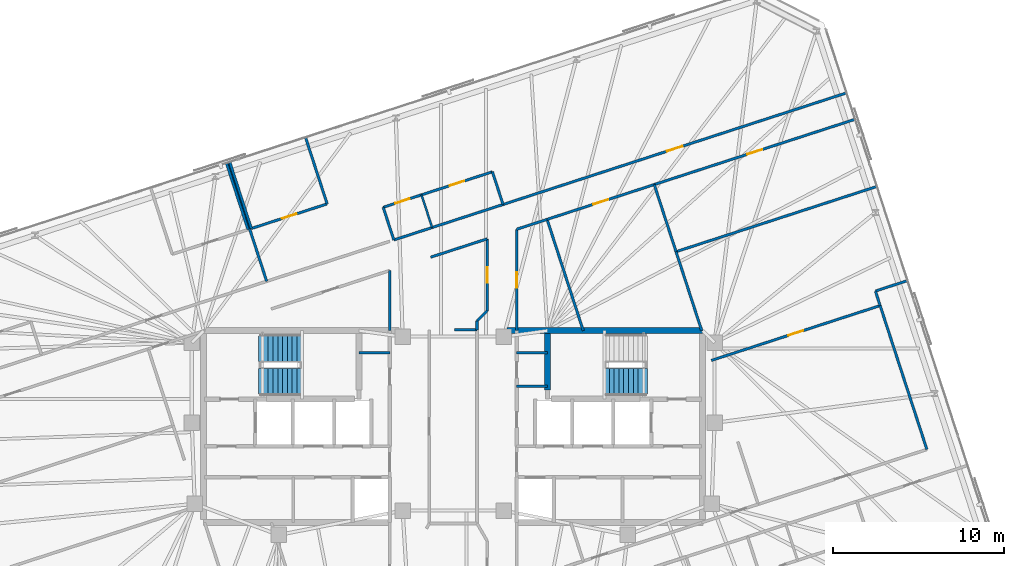
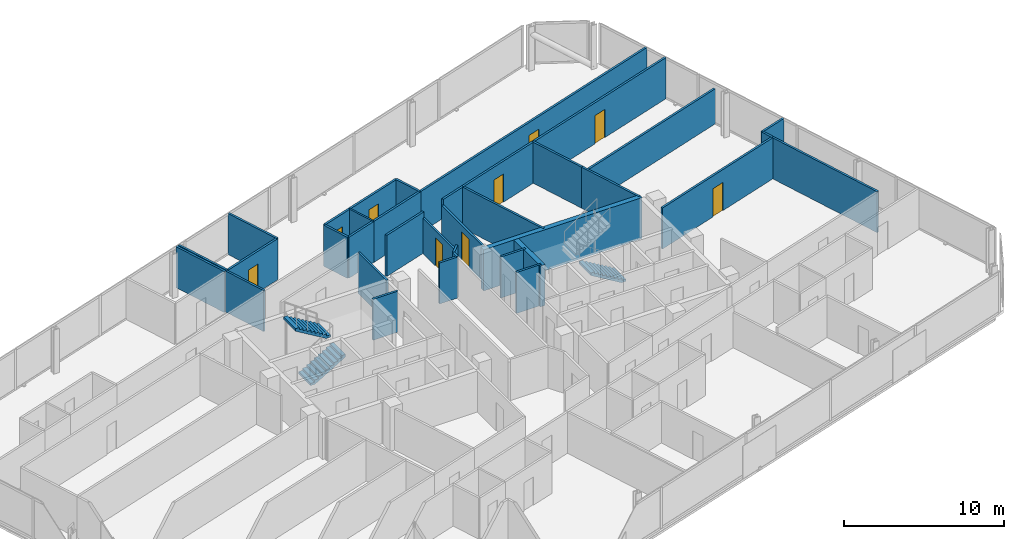
# One storey, part 17 of 19: 36 walls, 9 doors, 3 stair flights, 9 openings, 2 elements without a shape of their own.
"""IFC4 building model written with IfcOpenShell, lengths in metres."""

from ifc_helpers import new_model, si_unit, direction, frame, frame_2d, origin, place, context, subcontext, project, spatial, polyline, rectangle, outline, extrude, material, layer, layer_set, type_object, element, fill, aggregate, save


model = new_model("IFC4")

# Units and contexts
model_context = context("Model", 3, precision=1e-05, world=origin(), true_north=direction((0.0, 1.0)))
body_context = subcontext(model_context, "Body", "Model", "MODEL_VIEW")
ifc_project = project(units=[si_unit("LENGTHUNIT", "METRE"), si_unit("AREAUNIT", "SQUARE_METRE"), si_unit("VOLUMEUNIT", "CUBIC_METRE"), si_unit("PLANEANGLEUNIT", "RADIAN"), si_unit("MASSUNIT", "GRAM", prefix="KILO")], contexts=[model_context])

# Site, building, storey
site_placement = place(None, origin())
site = spatial("IfcSite", under=ifc_project, at=site_placement, CompositionType="ELEMENT")
building_placement = place(site_placement, origin())
building = spatial("IfcBuilding", under=site, at=building_placement, Name="Menara Jurai Vektor", CompositionType="ELEMENT")
storey_placement = place(building_placement, frame((0.0, 0.0, 241.050048828125)))
storey = spatial("IfcBuildingStorey", under=building, at=storey_placement, Name="L64", CompositionType="ELEMENT", Elevation=241.050048828125)

# Walls
ifc_material_1 = material(Name="Gypsum Fireboard Partition", Category="gypsum")
ifc_layer_1 = layer(ifc_material_1, 0.14990234375)
ifc_layer_set_1 = layer_set([ifc_layer_1], Name="Gypsum Fireboard Partition")
wall_type_1 = type_object("IfcWallType", Name="INT-WALL-CORR-150", PredefinedType="PARTITIONING", material=ifc_layer_set_1)
for number, where, z_axis, x_axis, name in (
    (1, (-5.5, 4.300048828125, 0.0), (0.0, 0.0, 1.0), (1.0, 0.0, 0.0), "Interior Wall IW-150 L64"),
    (2, (3.699951171875, 4.300048828125, 0.0), (0.0, 0.0, 1.0), (1.0, 0.0, 0.0), "Interior Wall IW-150 L64"),
    (3, (3.699951171875, 2.35009765625, 0.0), (0.0, 0.0, 1.0), (1.0, 0.0, 0.0), "Interior Wall IW-150 L64"),
):
    element("IfcWall", number, at=place(storey_placement, frame(where, z_axis=z_axis, x_axis=x_axis)), inside=storey, type_object=wall_type_1, Name=name, PredefinedType="PARTITIONING", context=body_context, shape_type="SweptSolid", body=[
        extrude(rectangle(XDim=1.800048828125, YDim=0.14990234375, at=frame_2d((0.89990234375, 0.0))), origin(), (0.0, 0.0, 1.0), 3.125),
    ])

# Wall, opening, door
wall_1_placement = place(storey_placement, frame((2.90869140625, 12.960205078125, 0.0), z_axis=(0.0, 0.0, 1.0), x_axis=(0.951056113966, 0.309018232614, 0.0)))
wall_1 = element("IfcWall", 4, at=wall_1_placement, inside=storey, type_object=wall_type_1, Name="Interior Wall IW-150 L64", PredefinedType="PARTITIONING", context=body_context, shape_type="SweptSolid", body=[
    extrude(rectangle(XDim=21.076171875, YDim=0.14990234375, at=frame_2d((10.5380859375, 0.0))), origin(), (0.0, 0.0, 1.0), 3.125),
])
opening_1_placement = place(wall_1_placement, frame((10.06298828125, 0.0, 0.0)))
opening_1 = element("IfcOpeningElement", 5, at=opening_1_placement, cuts=wall_1, Name="Opening D64-13", PredefinedType="OPENING", context=body_context, shape_type="SweptSolid", body=[
    extrude(rectangle(XDim=0.949951171875, YDim=2.14990234375, at=frame_2d((0.47509765625, 1.074951171875))), frame((0.0, 0.0849609375, 0.0), z_axis=(0.0, -1.0, 0.0), x_axis=(1.0, 0.0, 0.0)), (0.0, 0.0, 1.0), 0.169921875),
])
ifc_material_2 = material(Name="Solid Core Timber Fire Door", Category="wood")
door_type_1 = type_object("IfcDoorType", Name="DR-ENTRY-950", OperationType="NOTDEFINED", PredefinedType="DOOR", material=ifc_material_2)
door_1_placement = place(opening_1_placement, origin())
door_1 = element("IfcDoor", 6, at=door_1_placement, inside=storey, type_object=door_type_1, Name="Interior Door D64-13", OperationType="SINGLE_SWING_RIGHT", OverallHeight=2.14990234375, OverallWidth=0.949951171875, PredefinedType="DOOR", context=body_context, shape_type="SweptSolid", body=[
    extrude(rectangle(XDim=0.949951171875, YDim=2.14990234375, at=frame_2d((0.47509765625, 1.074951171875))), frame((0.0, 0.02490234375, 0.0), z_axis=(0.0, -1.0, 0.0), x_axis=(1.0, 0.0, 0.0)), (0.0, 0.0, 1.0), 0.050048828125),
])
fill(opening_1, door_1)

# Walls
wall_2_placement = place(storey_placement, frame((-3.46337890625, 10.889892578125, 0.0), z_axis=(0.0, 0.0, 1.0), x_axis=(0.951045519245, 0.309050837767, 0.0)))
element("IfcWall", 7, at=wall_2_placement, inside=storey, type_object=wall_type_1, Name="Interior Wall IW-150 L64", PredefinedType="PARTITIONING", context=body_context, shape_type="SweptSolid", body=[
    extrude(rectangle(XDim=2.35009765625, YDim=0.14990234375, at=frame_2d((1.175048828125, 0.0))), origin(), (0.0, 0.0, 1.0), 3.125),
])
wall_3_placement = place(storey_placement, frame((-1.228271484375, 11.6162109375, 0.0), z_axis=(0.0, 0.0, 1.0), x_axis=(0.951069122051, 0.308978195154, 0.0)))
element("IfcWall", 8, at=wall_3_placement, inside=storey, type_object=wall_type_1, Name="Interior Wall IW-150 L64", PredefinedType="PARTITIONING", context=body_context, shape_type="SweptSolid", body=[
    extrude(rectangle(XDim=4.349853515625, YDim=0.14990234375, at=frame_2d((2.1748046875, 0.0))), origin(), (0.0, 0.0, 1.0), 3.125),
])
wall_4_placement = place(storey_placement, frame((3.699462890625, 11.513916015625, 0.0), z_axis=(0.0, 0.0, 1.0), x_axis=(0.951069540665, 0.308976906612, 0.0)))
element("IfcWall", 9, at=wall_4_placement, inside=storey, type_object=wall_type_1, Name="Interior Wall IW-150 L64", PredefinedType="PARTITIONING", context=body_context, shape_type="SweptSolid", body=[
    extrude(rectangle(XDim=1.87109375, YDim=0.14990234375, at=frame_2d((0.935546875, 0.0))), origin(), (0.0, 0.0, 1.0), 3.125),
])

# Wall, opening, door
wall_5_placement = place(storey_placement, frame((5.47900390625, 12.092041015625, 0.0), z_axis=(0.0, 0.0, 1.0), x_axis=(0.951051809397, 0.309031480343, 0.0)))
wall_5 = element("IfcWall", 10, at=wall_5_placement, inside=storey, type_object=wall_type_1, Name="Interior Wall IW-150 L64", PredefinedType="PARTITIONING", context=body_context, shape_type="SweptSolid", body=[
    extrude(rectangle(XDim=6.572998046875, YDim=0.14990234375, at=frame_2d((3.28662109375, 0.0))), origin(), (0.0, 0.0, 1.0), 3.125),
])
opening_2_placement = place(wall_5_placement, frame((2.826416015625, 0.0, 0.0)))
opening_2 = element("IfcOpeningElement", 11, at=opening_2_placement, cuts=wall_5, Name="Opening D64-45", PredefinedType="OPENING", context=body_context, shape_type="SweptSolid", body=[
    extrude(rectangle(XDim=0.919921875, YDim=2.14990234375, at=frame_2d((0.4599609375, 1.074951171875))), frame((0.0, 0.0849609375, 0.0), z_axis=(0.0, -1.0, 0.0), x_axis=(1.0, 0.0, 0.0)), (0.0, 0.0, 1.0), 0.169921875),
])
door_2_placement = place(opening_2_placement, origin())
door_2 = element("IfcDoor", 12, at=door_2_placement, inside=storey, type_object=door_type_1, Name="Interior Door D64-45", OperationType="SINGLE_SWING_RIGHT", OverallHeight=2.14990234375, OverallWidth=0.919921875, PredefinedType="DOOR", context=body_context, shape_type="SweptSolid", body=[
    extrude(rectangle(XDim=0.919921875, YDim=2.14990234375, at=frame_2d((0.4599609375, 1.074951171875))), frame((0.0, 0.02490234375, 0.0), z_axis=(0.0, -1.0, 0.0), x_axis=(1.0, 0.0, 0.0)), (0.0, 0.0, 1.0), 0.050048828125),
])
fill(opening_2, door_2)

# Walls
wall_6_placement = place(storey_placement, frame((-1.310791015625, 9.885986328125, 0.0), z_axis=(0.0, 0.0, 1.0), x_axis=(0.951068803905, 0.308979174442, 0.0)))
element("IfcWall", 13, at=wall_6_placement, inside=storey, type_object=wall_type_1, Name="Interior Wall IW-150 L64", PredefinedType="PARTITIONING", context=body_context, shape_type="SweptSolid", body=[
    extrude(rectangle(XDim=3.4599609375, YDim=0.14990234375, at=frame_2d((1.72998046875, 0.0))), origin(), (0.0, 0.0, 1.0), 3.125),
])
wall_7_placement = place(storey_placement, frame((1.390625, 5.6494140625, 0.0), z_axis=(0.0, 0.0, 1.0), x_axis=(0.000957395444, 0.999999541697, 0.0)))
element("IfcWall", 14, at=wall_7_placement, inside=storey, type_object=wall_type_1, Name="Interior Wall IW-150 L64", PredefinedType="PARTITIONING", context=body_context, shape_type="SweptSolid", body=[
    extrude(rectangle(XDim=0.510009765625, YDim=0.14990234375, at=frame_2d((0.2548828125, 0.0))), origin(), (0.0, 0.0, 1.0), 3.125),
])
wall_8_placement = place(storey_placement, frame((1.39111328125, 6.159423828125, 0.0), z_axis=(0.0, 0.0, 1.0), x_axis=(0.707106781187, 0.707106781187, 0.0)))
element("IfcWall", 15, at=wall_8_placement, inside=storey, type_object=wall_type_1, Name="Interior Wall IW-150 L64", PredefinedType="PARTITIONING", context=body_context, shape_type="SweptSolid", body=[
    extrude(rectangle(XDim=0.832763671875, YDim=0.14990234375, at=frame_2d((0.41650390625, 0.0))), origin(), (0.0, 0.0, 1.0), 3.125),
])
wall_9_placement = place(storey_placement, frame((-3.7001953125, 5.599853515625, 0.0), z_axis=(0.0, 0.0, 1.0), x_axis=(0.000139120755, 0.999999990323, 0.0)))
element("IfcWall", 16, at=wall_9_placement, inside=storey, type_object=wall_type_1, Name="Interior Wall IW-150 L64", PredefinedType="PARTITIONING", context=body_context, shape_type="SweptSolid", body=[
    extrude(rectangle(XDim=3.509765625, YDim=0.14990234375, at=frame_2d((1.7548828125, 0.0))), origin(), (0.0, 0.0, 1.0), 3.125),
])
wall_10_placement = place(storey_placement, frame((27.63671875, -1.331787109375, 0.0), z_axis=(0.0, 0.0, 1.0), x_axis=(-0.309040411618, 0.951048907253, 0.0)))
element("IfcWall", 17, at=wall_10_placement, inside=storey, type_object=wall_type_1, Name="Interior Wall IW-150 L64", PredefinedType="PARTITIONING", context=body_context, shape_type="SweptSolid", body=[
    extrude(rectangle(XDim=8.825927734375, YDim=0.14990234375, at=frame_2d((4.4130859375, 0.0))), origin(), (0.0, 0.0, 1.0), 3.125),
])
wall_11_placement = place(storey_placement, frame((24.9091796875, 7.06201171875, 0.0), z_axis=(0.0, 0.0, 1.0), x_axis=(-0.30899324298, 0.951064233263, 0.0)))
element("IfcWall", 18, at=wall_11_placement, inside=storey, type_object=wall_type_1, Name="Interior Wall IW-150 L64", PredefinedType="PARTITIONING", context=body_context, shape_type="SweptSolid", body=[
    extrude(rectangle(XDim=0.89208984375, YDim=0.14990234375, at=frame_2d((0.446044921875, 0.0))), origin(), (0.0, 0.0, 1.0), 3.125),
])
wall_12_placement = place(storey_placement, frame((24.633544921875, 7.910400390625, 0.0), z_axis=(0.0, 0.0, 1.0), x_axis=(0.951054051148, 0.309024581215, 0.0)))
element("IfcWall", 19, at=wall_12_placement, inside=storey, type_object=wall_type_1, Name="Interior Wall IW-150 L64", PredefinedType="PARTITIONING", context=body_context, shape_type="SweptSolid", body=[
    extrude(rectangle(XDim=1.97509765625, YDim=0.14990234375, at=frame_2d((0.987548828125, 0.0))), origin(), (0.0, 0.0, 1.0), 3.125),
])

# Wall, opening, door
wall_13_placement = place(storey_placement, frame((11.730224609375, 14.123291015625, 0.0), z_axis=(0.0, 0.0, 1.0), x_axis=(0.951060263663, 0.309005460926, 0.0)))
wall_13 = element("IfcWall", 20, at=wall_13_placement, inside=storey, type_object=wall_type_1, Name="Interior Wall IW-150 L64", PredefinedType="PARTITIONING", context=body_context, shape_type="SweptSolid", body=[
    extrude(rectangle(XDim=12.326904296875, YDim=0.14990234375, at=frame_2d((6.16357421875, 0.0))), origin(), (0.0, 0.0, 1.0), 3.125),
])
opening_3_placement = place(wall_13_placement, frame((5.70361328125, 0.0, 0.0)))
opening_3 = element("IfcOpeningElement", 21, at=opening_3_placement, cuts=wall_13, Name="Opening D64-51", PredefinedType="OPENING", context=body_context, shape_type="SweptSolid", body=[
    extrude(rectangle(XDim=0.919921875, YDim=2.14990234375, at=frame_2d((0.4599609375, 1.074951171875))), frame((0.0, 0.0849609375, 0.0), z_axis=(0.0, -1.0, 0.0), x_axis=(1.0, 0.0, 0.0)), (0.0, 0.0, 1.0), 0.169921875),
])
door_3_placement = place(opening_3_placement, origin())
door_3 = element("IfcDoor", 22, at=door_3_placement, inside=storey, type_object=door_type_1, Name="Interior Door D64-51", OperationType="SINGLE_SWING_RIGHT", OverallHeight=2.14990234375, OverallWidth=0.919921875, PredefinedType="DOOR", context=body_context, shape_type="SweptSolid", body=[
    extrude(rectangle(XDim=0.919921875, YDim=2.14990234375, at=frame_2d((0.4599609375, 1.074951171875))), frame((0.0, 0.02490234375, 0.0), z_axis=(0.0, -1.0, 0.0), x_axis=(1.0, 0.0, 0.0)), (0.0, 0.0, 1.0), 0.050048828125),
])
fill(opening_3, door_3)

# Walls
wall_14_placement = place(storey_placement, frame((0.065673828125, 5.64990234375, 0.0), z_axis=(0.0, 0.0, 1.0), x_axis=(0.999999932094, -0.000368527707, 0.0)))
element("IfcWall", 23, at=wall_14_placement, inside=storey, type_object=wall_type_1, Name="Interior Wall IW-150 L64", PredefinedType="PARTITIONING", context=body_context, shape_type="SweptSolid", body=[
    extrude(rectangle(XDim=1.324951171875, YDim=0.14990234375, at=frame_2d((0.66259765625, 0.0))), origin(), (0.0, 0.0, 1.0), 3.125),
])
wall_15_placement = place(storey_placement, frame((-11.967041015625, 11.496826171875, 0.0), z_axis=(0.0, 0.0, 1.0), x_axis=(-0.309018403393, 0.951056058476, 0.0)))
element("IfcWall", 24, at=wall_15_placement, inside=storey, type_object=wall_type_1, Name="Interior Wall IW-150 L64", PredefinedType="PARTITIONING", context=body_context, shape_type="SweptSolid", body=[
    extrude(rectangle(XDim=4.0791015625, YDim=0.14990234375, at=frame_2d((2.03955078125, 0.0))), origin(), (0.0, 0.0, 1.0), 3.125),
])
wall_16_placement = place(storey_placement, frame((-10.881591796875, 8.4794921875, 0.0), z_axis=(0.0, 0.0, 1.0), x_axis=(-0.308998913866, 0.951062390819, 0.0)))
element("IfcWall", 25, at=wall_16_placement, inside=storey, type_object=wall_type_1, Name="Interior Wall IW-150 L64", PredefinedType="PARTITIONING", context=body_context, shape_type="SweptSolid", body=[
    extrude(rectangle(XDim=7.283935546875, YDim=0.14990234375, at=frame_2d((3.64208984375, 0.0))), origin(), (0.0, 0.0, 1.0), 3.125),
])
wall_17_placement = place(storey_placement, frame((-3.46337890625, 10.889892578125, 0.0), z_axis=(0.0, 0.0, 1.0), x_axis=(-0.308912611775, 0.951090425925, 0.0)))
element("IfcWall", 26, at=wall_17_placement, inside=storey, type_object=wall_type_1, Name="Interior Wall IW-150 L64", PredefinedType="PARTITIONING", context=body_context, shape_type="SweptSolid", body=[
    extrude(rectangle(XDim=2.005126953125, YDim=0.14990234375, at=frame_2d((1.00244140625, 0.0))), origin(), (0.0, 0.0, 1.0), 3.125),
])

# Wall, opening, door
wall_18_placement = place(storey_placement, frame((-4.082763671875, 12.796875, 0.0), z_axis=(0.0, 0.0, 1.0), x_axis=(0.951066131077, 0.308987401554, 0.0)))
wall_18 = element("IfcWall", 27, at=wall_18_placement, inside=storey, type_object=wall_type_1, Name="Interior Wall IW-150 L64", PredefinedType="PARTITIONING", context=body_context, shape_type="SweptSolid", body=[
    extrude(rectangle(XDim=2.349853515625, YDim=0.14990234375, at=frame_2d((1.1748046875, 0.0))), origin(), (0.0, 0.0, 1.0), 3.125),
])
opening_4_placement = place(wall_18_placement, frame((0.735107421875, 0.0, 0.0)))
opening_4 = element("IfcOpeningElement", 28, at=opening_4_placement, cuts=wall_18, Name="Opening D64-14", PredefinedType="OPENING", context=body_context, shape_type="SweptSolid", body=[
    extrude(rectangle(XDim=0.8798828125, YDim=2.14990234375, at=frame_2d((0.43994140625, 1.074951171875))), frame((0.0, 0.0849609375, 0.0), z_axis=(0.0, -1.0, 0.0), x_axis=(1.0, 0.0, 0.0)), (0.0, 0.0, 1.0), 0.169921875),
])
ifc_material_3 = material(Name="Moisture-Resistant Timber Door", Category="wood")
door_type_2 = type_object("IfcDoorType", Name="DR-BATH-880", OperationType="NOTDEFINED", PredefinedType="DOOR", material=ifc_material_3)
door_4_placement = place(opening_4_placement, origin())
door_4 = element("IfcDoor", 29, at=door_4_placement, inside=storey, type_object=door_type_2, Name="Interior Door D64-14", OperationType="SINGLE_SWING_LEFT", OverallHeight=2.14990234375, OverallWidth=0.8798828125, PredefinedType="DOOR", context=body_context, shape_type="SweptSolid", body=[
    extrude(rectangle(XDim=0.8798828125, YDim=2.14990234375, at=frame_2d((0.43994140625, 1.074951171875))), frame((0.0, 0.02490234375, 0.0), z_axis=(0.0, -1.0, 0.0), x_axis=(1.0, 0.0, 0.0)), (0.0, 0.0, 1.0), 0.050048828125),
])
fill(opening_4, door_4)

wall_19_placement = place(storey_placement, frame((-1.847900390625, 13.52294921875, 0.0), z_axis=(0.0, 0.0, 1.0), x_axis=(0.951057987102, 0.309012467661, 0.0)))
wall_19 = element("IfcWall", 30, at=wall_19_placement, inside=storey, type_object=wall_type_1, Name="Interior Wall IW-150 L64", PredefinedType="PARTITIONING", context=body_context, shape_type="SweptSolid", body=[
    extrude(rectangle(XDim=4.35009765625, YDim=0.14990234375, at=frame_2d((2.175048828125, 0.0))), origin(), (0.0, 0.0, 1.0), 3.125),
])
opening_5_placement = place(wall_19_placement, frame((1.72509765625, 0.0, 0.0)))
opening_5 = element("IfcOpeningElement", 31, at=opening_5_placement, cuts=wall_19, Name="Opening D64-15", PredefinedType="OPENING", context=body_context, shape_type="SweptSolid", body=[
    extrude(rectangle(XDim=0.89990234375, YDim=2.14990234375, at=frame_2d((0.449951171875, 1.074951171875))), frame((0.0, 0.0849609375, 0.0), z_axis=(0.0, -1.0, 0.0), x_axis=(1.0, 0.0, 0.0)), (0.0, 0.0, 1.0), 0.169921875),
])
ifc_material_4 = material(Name="Acoustic Timber Interior Door", Category="wood")
door_type_3 = type_object("IfcDoorType", Name="DR-ROOM-900", OperationType="NOTDEFINED", PredefinedType="DOOR", material=ifc_material_4)
door_5_placement = place(opening_5_placement, origin())
door_5 = element("IfcDoor", 32, at=door_5_placement, inside=storey, type_object=door_type_3, Name="Interior Door D64-15", OperationType="SINGLE_SWING_RIGHT", OverallHeight=2.14990234375, OverallWidth=0.89990234375, PredefinedType="DOOR", context=body_context, shape_type="SweptSolid", body=[
    extrude(rectangle(XDim=0.89990234375, YDim=2.14990234375, at=frame_2d((0.449951171875, 1.074951171875))), frame((0.0, 0.02490234375, 0.0), z_axis=(0.0, -1.0, 0.0), x_axis=(1.0, 0.0, 0.0)), (0.0, 0.0, 1.0), 0.050048828125),
])
fill(opening_5, door_5)

# Walls
wall_20_placement = place(storey_placement, frame((2.90869140625, 12.960205078125, 0.0), z_axis=(0.0, 0.0, 1.0), x_axis=(-0.308912611775, 0.951090425925, 0.0)))
element("IfcWall", 33, at=wall_20_placement, inside=storey, type_object=wall_type_1, Name="Interior Wall IW-150 L64", PredefinedType="PARTITIONING", context=body_context, shape_type="SweptSolid", body=[
    extrude(rectangle(XDim=2.005126953125, YDim=0.14990234375, at=frame_2d((1.00244140625, 0.0))), origin(), (0.0, 0.0, 1.0), 3.125),
])
wall_21_placement = place(storey_placement, frame((-11.77685546875, 11.55859375, 0.0), z_axis=(0.0, 0.0, 1.0), x_axis=(-0.309018403393, 0.951056058476, 0.0)))
element("IfcWall", 34, at=wall_21_placement, inside=storey, type_object=wall_type_1, Name="Interior Wall IW-150 L64", PredefinedType="PARTITIONING", context=body_context, shape_type="SweptSolid", body=[
    extrude(rectangle(XDim=4.0791015625, YDim=0.14990234375, at=frame_2d((2.03955078125, 0.0))), origin(), (0.0, 0.0, 1.0), 3.125),
])

# Wall, opening, door
wall_22_placement = place(storey_placement, frame((-11.77685546875, 11.55859375, 0.0), z_axis=(0.0, 0.0, 1.0), x_axis=(0.951050272606, 0.309036209813, 0.0)))
wall_22 = element("IfcWall", 35, at=wall_22_placement, inside=storey, type_object=wall_type_1, Name="Interior Wall IW-150 L64", PredefinedType="PARTITIONING", context=body_context, shape_type="SweptSolid", body=[
    extrude(rectangle(XDim=4.64990234375, YDim=0.14990234375, at=frame_2d((2.324951171875, 0.0))), origin(), (0.0, 0.0, 1.0), 3.125),
])
opening_6_placement = place(wall_22_placement, frame((1.875, 0.0, 0.0)))
opening_6 = element("IfcOpeningElement", 36, at=opening_6_placement, cuts=wall_22, Name="Opening D64-16", PredefinedType="OPENING", context=body_context, shape_type="SweptSolid", body=[
    extrude(rectangle(XDim=0.89990234375, YDim=2.14990234375, at=frame_2d((0.449951171875, 1.074951171875))), frame((0.0, 0.0849609375, 0.0), z_axis=(0.0, -1.0, 0.0), x_axis=(1.0, 0.0, 0.0)), (0.0, 0.0, 1.0), 0.169921875),
])
door_6_placement = place(opening_6_placement, origin())
door_6 = element("IfcDoor", 37, at=door_6_placement, inside=storey, type_object=door_type_3, Name="Interior Door D64-16", OperationType="SINGLE_SWING_LEFT", OverallHeight=2.14990234375, OverallWidth=0.89990234375, PredefinedType="DOOR", context=body_context, shape_type="SweptSolid", body=[
    extrude(rectangle(XDim=0.89990234375, YDim=2.14990234375, at=frame_2d((0.449951171875, 1.074951171875))), frame((0.0, 0.02490234375, 0.0), z_axis=(0.0, -1.0, 0.0), x_axis=(1.0, 0.0, 0.0)), (0.0, 0.0, 1.0), 0.050048828125),
])
fill(opening_6, door_6)

# Walls
wall_23_placement = place(storey_placement, frame((-7.3544921875, 12.99560546875, 0.0), z_axis=(0.0, 0.0, 1.0), x_axis=(-0.309018403393, 0.951056058476, 0.0)))
element("IfcWall", 38, at=wall_23_placement, inside=storey, type_object=wall_type_1, Name="Interior Wall IW-150 L64", PredefinedType="PARTITIONING", context=body_context, shape_type="SweptSolid", body=[
    extrude(rectangle(XDim=4.0791015625, YDim=0.14990234375, at=frame_2d((2.03955078125, 0.0))), origin(), (0.0, 0.0, 1.0), 3.125),
])
wall_24_placement = place(storey_placement, frame((7.58837890625, 5.60009765625, 0.0), z_axis=(0.0, 0.0, 1.0), x_axis=(-0.309018946982, 0.951055881852, 0.0)))
element("IfcWall", 39, at=wall_24_placement, inside=storey, type_object=wall_type_1, Name="Interior Wall IW-150 L64", PredefinedType="PARTITIONING", context=body_context, shape_type="SweptSolid", body=[
    extrude(rectangle(XDim=6.825927734375, YDim=0.14990234375, at=frame_2d((3.4130859375, 0.0))), origin(), (0.0, 0.0, 1.0), 3.125),
])
wall_25_placement = place(storey_placement, frame((14.49951171875, 5.599853515625, 0.0), z_axis=(0.0, 0.0, 1.0), x_axis=(-0.308974360462, 0.951070367837, 0.0)))
element("IfcWall", 40, at=wall_25_placement, inside=storey, type_object=wall_type_1, Name="Interior Wall IW-150 L64", PredefinedType="PARTITIONING", context=body_context, shape_type="SweptSolid", body=[
    extrude(rectangle(XDim=4.843017578125, YDim=0.14990234375, at=frame_2d((2.42138671875, 0.0))), origin(), (0.0, 0.0, 1.0), 3.125),
])
wall_26_placement = place(storey_placement, frame((13.003173828125, 10.205810546875, 0.0), z_axis=(0.0, 0.0, 1.0), x_axis=(-0.309035144366, 0.951050618814, 0.0)))
element("IfcWall", 41, at=wall_26_placement, inside=storey, type_object=wall_type_1, Name="Interior Wall IW-150 L64", PredefinedType="PARTITIONING", context=body_context, shape_type="SweptSolid", body=[
    extrude(rectangle(XDim=4.119140625, YDim=0.14990234375, at=frame_2d((2.0595703125, 0.0))), origin(), (0.0, 0.0, 1.0), 3.125),
])

# Wall, opening, door
wall_27_placement = place(storey_placement, frame((15.06396484375, 3.86328125, 0.0), z_axis=(0.0, 0.0, 1.0), x_axis=(0.951061448945, 0.309001812827, 0.0)))
wall_27 = element("IfcWall", 42, at=wall_27_placement, inside=storey, type_object=wall_type_1, Name="Interior Wall IW-150 L64", PredefinedType="PARTITIONING", context=body_context, shape_type="SweptSolid", body=[
    extrude(rectangle(XDim=10.351806640625, YDim=0.14990234375, at=frame_2d((5.17578125, 0.0))), origin(), (0.0, 0.0, 1.0), 3.125),
])
opening_7_placement = place(wall_27_placement, frame((4.716064453125, 0.0, 0.0)))
opening_7 = element("IfcOpeningElement", 43, at=opening_7_placement, cuts=wall_27, Name="Opening D64-50", PredefinedType="OPENING", context=body_context, shape_type="SweptSolid", body=[
    extrude(rectangle(XDim=0.919921875, YDim=2.14990234375, at=frame_2d((0.4599609375, 1.074951171875))), frame((0.0, 0.0849609375, 0.0), z_axis=(0.0, -1.0, 0.0), x_axis=(1.0, 0.0, 0.0)), (0.0, 0.0, 1.0), 0.169921875),
])
door_7_placement = place(opening_7_placement, origin())
door_7 = element("IfcDoor", 44, at=door_7_placement, inside=storey, type_object=door_type_1, Name="Interior Door D64-50", OperationType="SINGLE_SWING_LEFT", OverallHeight=2.14990234375, OverallWidth=0.919921875, PredefinedType="DOOR", context=body_context, shape_type="SweptSolid", body=[
    extrude(rectangle(XDim=0.919921875, YDim=2.14990234375, at=frame_2d((0.4599609375, 1.074951171875))), frame((0.0, 0.02490234375, 0.0), z_axis=(0.0, -1.0, 0.0), x_axis=(1.0, 0.0, 0.0)), (0.0, 0.0, 1.0), 0.050048828125),
])
fill(opening_7, door_7)

ifc_layer_2 = layer(ifc_material_1, 0.14990234375)
ifc_layer_set_2 = layer_set([ifc_layer_2], Name="Gypsum Fireboard Partition")
wall_type_2 = type_object("IfcWallType", Name="INT-WALL-CORR-150-H1", PredefinedType="PARTITIONING", material=ifc_layer_set_2)
wall_28_placement = place(storey_placement, frame((3.7001953125, 5.599609375, 0.0), z_axis=(0.0, 0.0, 1.0), x_axis=(-0.000123839008, 0.999999992332, 0.0)))
wall_28 = element("IfcWall", 45, at=wall_28_placement, inside=storey, type_object=wall_type_2, Name="Interior Wall IW-150 L64", PredefinedType="PARTITIONING", context=body_context, shape_type="SweptSolid", body=[
    extrude(rectangle(XDim=5.914306640625, YDim=0.14990234375, at=frame_2d((2.95703125, 0.0))), origin(), (0.0, 0.0, 1.0), 2.675048828125),
])
opening_8_placement = place(wall_28_placement, frame((2.497314453125, 0.0, 0.0)))
opening_8 = element("IfcOpeningElement", 46, at=opening_8_placement, cuts=wall_28, Name="Opening D64-44", PredefinedType="OPENING", context=body_context, shape_type="SweptSolid", body=[
    extrude(rectangle(XDim=0.919921875, YDim=2.14990234375, at=frame_2d((0.4599609375, 1.074951171875))), frame((0.0, 0.0849609375, 0.0), z_axis=(0.0, -1.0, 0.0), x_axis=(1.0, 0.0, 0.0)), (0.0, 0.0, 1.0), 0.169921875),
])
door_8_placement = place(opening_8_placement, origin())
door_8 = element("IfcDoor", 47, at=door_8_placement, inside=storey, type_object=door_type_1, Name="Interior Door D64-44", OperationType="SINGLE_SWING_LEFT", OverallHeight=2.14990234375, OverallWidth=0.919921875, PredefinedType="DOOR", context=body_context, shape_type="SweptSolid", body=[
    extrude(rectangle(XDim=0.919921875, YDim=2.14990234375, at=frame_2d((0.4599609375, 1.074951171875))), frame((0.0, 0.02490234375, 0.0), z_axis=(0.0, -1.0, 0.0), x_axis=(1.0, 0.0, 0.0)), (0.0, 0.0, 1.0), 0.050048828125),
])
fill(opening_8, door_8)

wall_29_placement = place(storey_placement, frame((1.97998046875, 6.748291015625, 0.0), z_axis=(0.0, 0.0, 1.0), x_axis=(0.0, 1.0, 0.0)))
wall_29 = element("IfcWall", 48, at=wall_29_placement, inside=storey, type_object=wall_type_2, Name="Interior Wall IW-150 L64", PredefinedType="PARTITIONING", context=body_context, shape_type="SweptSolid", body=[
    extrude(rectangle(XDim=4.206787109375, YDim=0.14990234375, at=frame_2d((2.103515625, 0.0))), origin(), (0.0, 0.0, 1.0), 2.675048828125),
])
opening_9_placement = place(wall_29_placement, frame((1.643310546875, 0.0, 0.0)))
opening_9 = element("IfcOpeningElement", 49, at=opening_9_placement, cuts=wall_29, Name="Opening D64-47", PredefinedType="OPENING", context=body_context, shape_type="SweptSolid", body=[
    extrude(rectangle(XDim=0.919921875, YDim=2.14990234375, at=frame_2d((0.4599609375, 1.074951171875))), frame((0.0, 0.0849609375, 0.0), z_axis=(0.0, -1.0, 0.0), x_axis=(1.0, 0.0, 0.0)), (0.0, 0.0, 1.0), 0.169921875),
])
door_9_placement = place(opening_9_placement, origin())
door_9 = element("IfcDoor", 50, at=door_9_placement, inside=storey, type_object=door_type_1, Name="Interior Door D64-47", OperationType="SINGLE_SWING_RIGHT", OverallHeight=2.14990234375, OverallWidth=0.919921875, PredefinedType="DOOR", context=body_context, shape_type="SweptSolid", body=[
    extrude(rectangle(XDim=0.919921875, YDim=2.14990234375, at=frame_2d((0.4599609375, 1.074951171875))), frame((0.0, 0.02490234375, 0.0), z_axis=(0.0, -1.0, 0.0), x_axis=(1.0, 0.0, 0.0)), (0.0, 0.0, 1.0), 0.050048828125),
])
fill(opening_9, door_9)

# Walls
wall_30_placement = place(storey_placement, frame((13.003173828125, 10.205810546875, 0.0), z_axis=(0.0, 0.0, 1.0), x_axis=(0.951060263663, 0.309005460926, 0.0)))
element("IfcWall", 51, at=wall_30_placement, inside=storey, type_object=wall_type_2, Name="Interior Wall IW-150 L64", PredefinedType="PARTITIONING", context=body_context, shape_type="SweptSolid", body=[
    extrude(rectangle(XDim=12.326904296875, YDim=0.14990234375, at=frame_2d((6.16357421875, 0.0))), origin(), (0.0, 0.0, 1.0), 2.675048828125),
])
ifc_material_5 = material(Name="Gypsum Acoustic Stud Partition", Category="gypsum")
ifc_layer_3 = layer(ifc_material_5, 0.1201171875)
ifc_layer_set_3 = layer_set([ifc_layer_3], Name="Gypsum Acoustic Stud Partition")
wall_type_3 = type_object("IfcWallType", Name="INT-WALL-PART-120", PredefinedType="PARTITIONING", material=ifc_layer_set_3)
wall_31_placement = place(storey_placement, frame((-1.228271484375, 11.6162109375, 0.0), z_axis=(0.0, 0.0, 1.0), x_axis=(-0.309058537449, 0.951043017129, 0.0)))
element("IfcWall", 52, at=wall_31_placement, inside=storey, type_object=wall_type_3, Name="Interior Wall IW-120 L64", PredefinedType="PARTITIONING", context=body_context, shape_type="SweptSolid", body=[
    extrude(rectangle(XDim=2.0048828125, YDim=0.1201171875, at=frame_2d((1.00244140625, 0.0))), origin(), (0.0, 0.0, 1.0), 3.125),
])
ifc_material_6 = material(Name="Concrete C50/60", Category="concrete")
ifc_layer_4 = layer(ifc_material_6, 0.35009765625)
ifc_layer_set_4 = layer_set([ifc_layer_4], Name="Concrete C50/60")
wall_type_4 = type_object("IfcWallType", Name="STR-WALL-CORE350", PredefinedType="SHEAR", material=ifc_layer_set_4)
wall_32_placement = place(storey_placement, frame((3.14990234375, 5.60009765625, 0.0), z_axis=(0.0, 0.0, 1.0), x_axis=(1.0, 0.0, 0.0)))
element("IfcWall", 53, at=wall_32_placement, inside=storey, type_object=wall_type_4, Name="Core Shear Wall CW-E-N L64", PredefinedType="SHEAR", context=body_context, shape_type="SweptSolid", body=[
    extrude(rectangle(XDim=11.41015625, YDim=0.35009765625, at=frame_2d((5.705078125, 0.0))), origin(), (0.0, 0.0, 1.0), 3.125),
])
wall_33_placement = place(storey_placement, frame((5.5, 2.14990234375, 0.0), z_axis=(0.0, 0.0, 1.0), x_axis=(0.0, 1.0, 0.0)))
element("IfcWall", 54, at=wall_33_placement, inside=storey, type_object=wall_type_4, Name="Core Shear Wall CW-E-ST L64", PredefinedType="SHEAR", context=body_context, shape_type="SweptSolid", body=[
    extrude(rectangle(XDim=3.275146484375, YDim=0.35009765625, at=frame_2d((1.6376953125, 0.0))), origin(), (0.0, 0.0, 1.0), 3.125),
])

# Stair, stair flights
ifc_material_7 = material(Name="Concrete C40/50", Category="concrete")
stair_type = type_object("IfcStairType", Name="STAIR-DOGLEG-1500", PredefinedType="HALF_TURN_STAIR", material=ifc_material_7)
stair_1_placement = place(storey_placement, origin())
stair_1 = element("IfcStair", 55, at=stair_1_placement, inside=storey, type_object=stair_type, Name="Protected Exit Stair ST1 L64", PredefinedType="HALF_TURN_STAIR")
stair_flight_type = type_object("IfcStairFlightType", Name="STAIR-FLIGHT-1500", PredefinedType="STRAIGHT", material=ifc_material_7)
stair_flight_1_placement = place(storey_placement, frame((-11.35009765625, 2.64990234375, 0.0), z_axis=(0.0, 0.0, 1.0), x_axis=(1.0, 0.0, 0.0)))
stair_flight_1 = element("IfcStairFlight", 56, at=stair_flight_1_placement, type_object=stair_flight_type, Name="ST1 flight 1", NumberOfRisers=10, NumberOfTreads=9, PredefinedType="STRAIGHT", RiserHeight=0.1675, TreadLength=0.28, context=body_context, shape_type="SweptSolid", body=[
    extrude(outline(polyline([(0.0, 0.0), (0.0, 0.16748046875), (0.280029296875, 0.16748046875), (0.280029296875, 0.3349609375), (0.56005859375, 0.3349609375), (0.56005859375, 0.50244140625), (0.840087890625, 0.50244140625), (0.840087890625, 0.669921875), (1.1201171875, 0.669921875), (1.1201171875, 0.83740234375), (1.39990234375, 0.83740234375), (1.39990234375, 1.0048828125), (1.679931640625, 1.0048828125), (1.679931640625, 1.172607421875), (1.9599609375, 1.172607421875), (1.9599609375, 1.340087890625), (2.239990234375, 1.340087890625), (2.239990234375, 1.507568359375), (2.52001953125, 1.507568359375), (2.52001953125, 1.675048828125), (2.52001953125, 1.321044921875), (0.3115234375, 0.0), (0.0, 0.0)])), frame((0.0, 0.75, 0.0), z_axis=(0.0, -1.0, 0.0), x_axis=(1.0, 0.0, 0.0)), (0.0, 0.0, 1.0), 1.5),
])
stair_flight_2_placement = place(storey_placement, frame((-8.830078125, 4.550048828125, 1.675048828125), z_axis=(0.0, 0.0, 1.0), x_axis=(-1.0, 0.0, 0.0)))
stair_flight_2 = element("IfcStairFlight", 57, at=stair_flight_2_placement, type_object=stair_flight_type, Name="ST1 flight 2", NumberOfRisers=10, NumberOfTreads=9, PredefinedType="STRAIGHT", RiserHeight=0.1675, TreadLength=0.28, context=body_context, shape_type="SweptSolid", body=[
    extrude(outline(polyline([(0.0, 0.0), (0.0, 0.16748046875), (0.280029296875, 0.16748046875), (0.280029296875, 0.3349609375), (0.56005859375, 0.3349609375), (0.56005859375, 0.50244140625), (0.840087890625, 0.50244140625), (0.840087890625, 0.669921875), (1.1201171875, 0.669921875), (1.1201171875, 0.83740234375), (1.39990234375, 0.83740234375), (1.39990234375, 1.0048828125), (1.679931640625, 1.0048828125), (1.679931640625, 1.172607421875), (1.9599609375, 1.172607421875), (1.9599609375, 1.340087890625), (2.239990234375, 1.340087890625), (2.239990234375, 1.507568359375), (2.52001953125, 1.507568359375), (2.52001953125, 1.675048828125), (2.52001953125, 1.321044921875), (0.3115234375, 0.0), (0.0, 0.0)])), frame((0.0, 0.75, 0.0), z_axis=(0.0, -1.0, 0.0), x_axis=(1.0, 0.0, 0.0)), (0.0, 0.0, 1.0), 1.5),
])
aggregate(stair_1, [stair_flight_1, stair_flight_2])

# Stair, stair flight
stair_2_placement = place(storey_placement, origin())
stair_2 = element("IfcStair", 58, at=stair_2_placement, inside=storey, type_object=stair_type, Name="Protected Exit Stair ST2 L64", PredefinedType="HALF_TURN_STAIR")
stair_flight_3_placement = place(storey_placement, frame((11.35009765625, 2.64990234375, 0.0), z_axis=(0.0, 0.0, 1.0), x_axis=(-1.0, 0.0, 0.0)))
stair_flight_3 = element("IfcStairFlight", 59, at=stair_flight_3_placement, type_object=stair_flight_type, Name="ST2 flight 1", NumberOfRisers=10, NumberOfTreads=9, PredefinedType="STRAIGHT", RiserHeight=0.1675, TreadLength=0.28, context=body_context, shape_type="SweptSolid", body=[
    extrude(outline(polyline([(0.0, 0.0), (0.0, 0.16748046875), (0.280029296875, 0.16748046875), (0.280029296875, 0.3349609375), (0.56005859375, 0.3349609375), (0.56005859375, 0.50244140625), (0.840087890625, 0.50244140625), (0.840087890625, 0.669921875), (1.1201171875, 0.669921875), (1.1201171875, 0.83740234375), (1.39990234375, 0.83740234375), (1.39990234375, 1.0048828125), (1.679931640625, 1.0048828125), (1.679931640625, 1.172607421875), (1.9599609375, 1.172607421875), (1.9599609375, 1.340087890625), (2.239990234375, 1.340087890625), (2.239990234375, 1.507568359375), (2.52001953125, 1.507568359375), (2.52001953125, 1.675048828125), (2.52001953125, 1.321044921875), (0.3115234375, 0.0), (0.0, 0.0)])), frame((0.0, 0.75, 0.0), z_axis=(0.0, -1.0, 0.0), x_axis=(1.0, 0.0, 0.0)), (0.0, 0.0, 1.0), 1.5),
])
aggregate(stair_2, [stair_flight_3])

save(model, "model.ifc")
